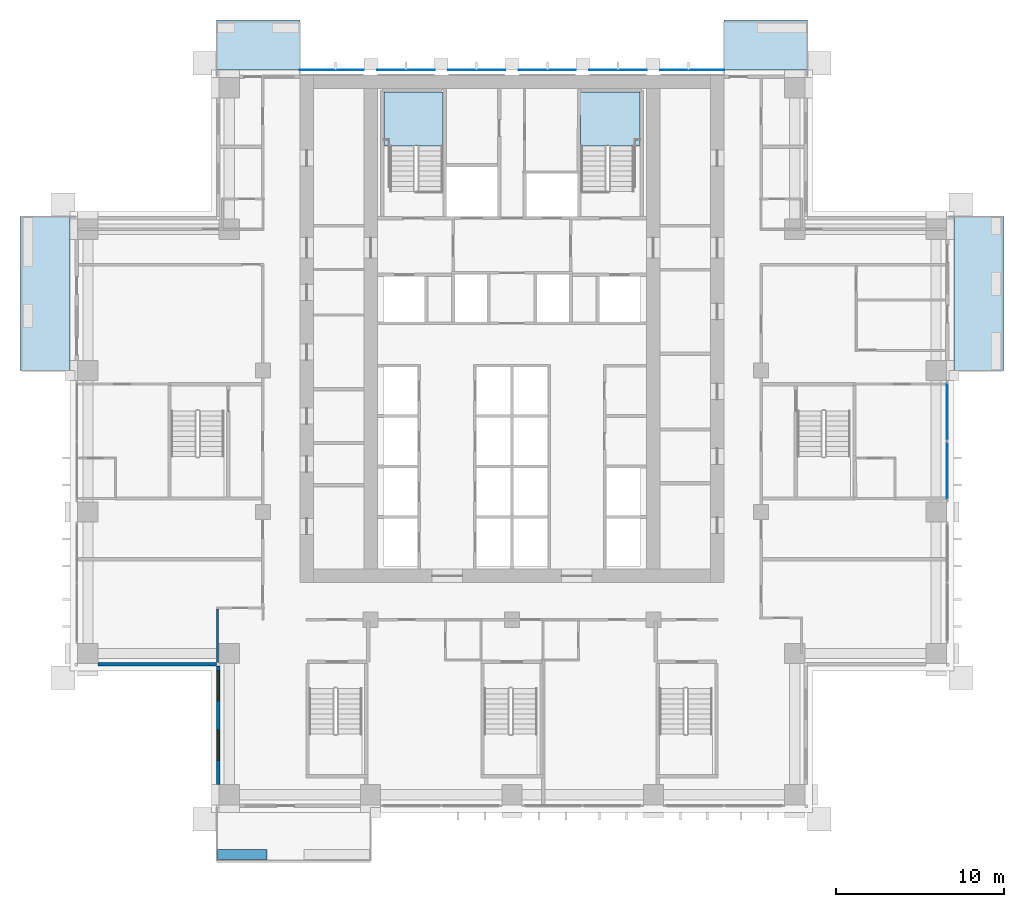
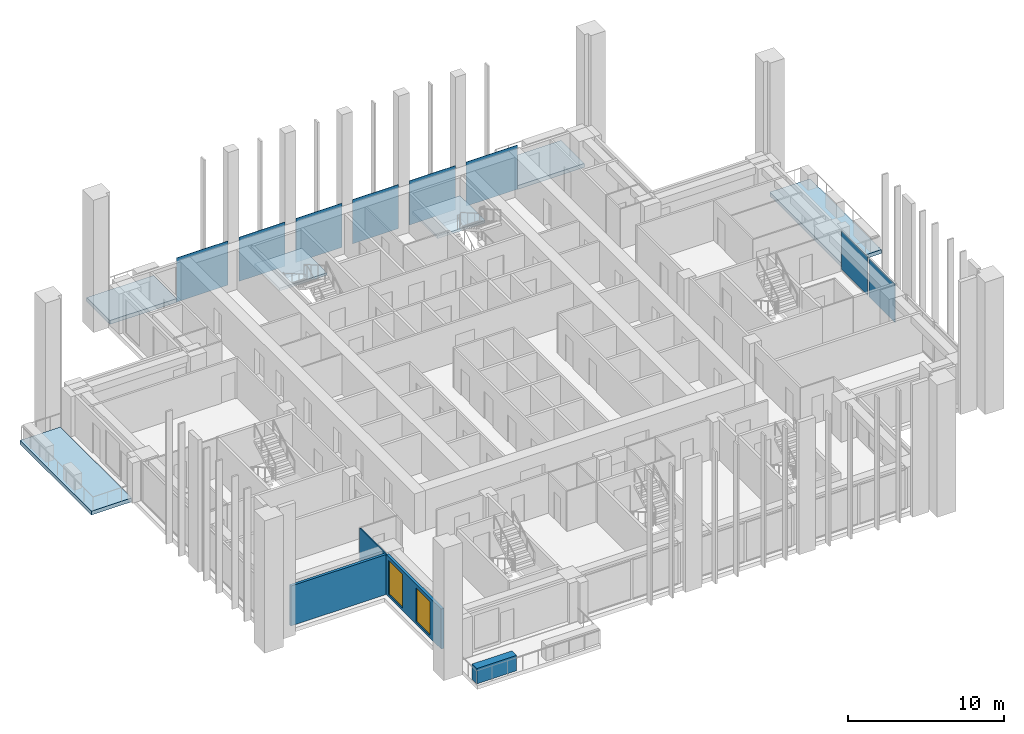
# One storey, part 6 of 18: 8 plates, 6 slabs, 4 walls, 2 windows, 2 openings, 3 elements without a shape of their own.
"""IFC4 building model written with IfcOpenShell, lengths in metres."""

from ifc_helpers import new_model, si_unit, direction, frame, frame_2d, origin, origin_2d, place, context, subcontext, project, spatial, polyline, rectangle, outline, extrude, material, layer, layer_set, type_object, element, fill, aggregate, save


model = new_model("IFC4")

# Units and contexts
model_context = context("Model", 3, precision=1e-05, world=origin(), true_north=direction((0.0, 1.0)))
body_context = subcontext(model_context, "Body", "Model", "MODEL_VIEW")
ifc_project = project(units=[si_unit("LENGTHUNIT", "METRE"), si_unit("AREAUNIT", "SQUARE_METRE"), si_unit("VOLUMEUNIT", "CUBIC_METRE"), si_unit("PLANEANGLEUNIT", "RADIAN"), si_unit("MASSUNIT", "GRAM", prefix="KILO")], contexts=[model_context])

# Site, building, storey
site_placement = place(None, origin())
site = spatial("IfcSite", under=ifc_project, at=site_placement, CompositionType="ELEMENT")
building_placement = place(site_placement, origin())
building = spatial("IfcBuilding", under=site, at=building_placement, Name="Vermilion Ogive Tower", CompositionType="ELEMENT")
storey_placement = place(building_placement, frame((0.0, 0.0, 80.39990234375)))
storey = spatial("IfcBuildingStorey", under=building, at=storey_placement, Name="L19", CompositionType="ELEMENT", Elevation=80.39990234375)

# Slabs
ifc_material_1 = material(Name="Concrete B40", Category="concrete")
ifc_layer_1 = layer(ifc_material_1, 0.300048828125)
ifc_layer_set_1 = layer_set([ifc_layer_1], Name="Balcony slab")
slab_type_1 = type_object("IfcSlabType", Name="Balcony slab", PredefinedType="FLOOR", material=ifc_layer_set_1)
slab_1_placement = place(storey_placement, frame((0.0, 0.0, -0.33984375)))
element("IfcSlab", 1, at=slab_1_placement, inside=storey, type_object=slab_type_1, Name="Balcony slab E03", PredefinedType="FLOOR", context=body_context, shape_type="SweptSolid", body=[
    extrude(outline(polyline([(29.22998046875, 4.199951171875), (29.22998046875, 13.35009765625), (26.25, 13.35009765625), (26.25, 4.199951171875), (29.22998046875, 4.199951171875)])), origin(), (0.0, 0.0, 1.0), 0.300048828125),
])
slab_2_placement = place(storey_placement, frame((0.0, 0.0, -0.33984375)))
element("IfcSlab", 2, at=slab_2_placement, inside=storey, type_object=slab_type_1, Name="Balcony slab N101", PredefinedType="FLOOR", context=body_context, shape_type="SweptSolid", body=[
    extrude(outline(polyline([(17.550048828125, 25.030029296875), (12.60009765625, 25.030029296875), (12.60009765625, 22.050048828125), (17.550048828125, 22.050048828125), (17.550048828125, 25.030029296875)])), origin(), (0.0, 0.0, 1.0), 0.300048828125),
])
slab_3_placement = place(storey_placement, frame((0.0, 0.0, -0.33984375)))
element("IfcSlab", 3, at=slab_3_placement, inside=storey, type_object=slab_type_1, Name="Balcony slab N201", PredefinedType="FLOOR", context=body_context, shape_type="SweptSolid", body=[
    extrude(outline(polyline([(-12.60009765625, 25.030029296875), (-17.550048828125, 25.030029296875), (-17.550048828125, 22.050048828125), (-12.60009765625, 22.050048828125), (-12.60009765625, 25.030029296875)])), origin(), (0.0, 0.0, 1.0), 0.300048828125),
])
slab_4_placement = place(storey_placement, frame((0.0, 0.0, -0.33984375)))
element("IfcSlab", 4, at=slab_4_placement, inside=storey, type_object=slab_type_1, Name="Balcony slab W01", PredefinedType="FLOOR", context=body_context, shape_type="SweptSolid", body=[
    extrude(outline(polyline([(-29.22998046875, 13.35009765625), (-29.22998046875, 4.199951171875), (-26.25, 4.199951171875), (-26.25, 13.35009765625), (-29.22998046875, 13.35009765625)])), origin(), (0.0, 0.0, 1.0), 0.300048828125),
])

# Curtain wall, plates
ifc_material_2 = material(Name="Low-iron laminated glazing in aluminium frame", Category="aluminium")
curtain_wall_type = type_object("IfcCurtainWallType", Name="Curtain wall CW7", PredefinedType="NOTDEFINED", material=ifc_material_2)
curtain_wall_placement = place(storey_placement, origin())
curtain_wall = element("IfcCurtainWall", 5, at=curtain_wall_placement, inside=storey, type_object=curtain_wall_type, Name="Glazed skin E2", PredefinedType="NOTDEFINED")
ifc_material_3 = material(Name="Low-iron laminated glazing in aluminium frame", Category="aluminium")
ifc_layer_2 = layer(ifc_material_3, 0.031982421875)
ifc_layer_set_2 = layer_set([ifc_layer_2], Name="CW7 glazing panel 32")
plate_type_1 = type_object("IfcPlateType", Name="CW7 glazing panel 32", PredefinedType="CURTAIN_PANEL", material=ifc_layer_set_2)
plate_1_placement = place(storey_placement, frame((25.85009765625, -1.7548828125, 0.06005859375), z_axis=(0.0, 0.0, 1.0), x_axis=(0.0, 1.0, 0.0)))
plate_1 = element("IfcPlate", 6, at=plate_1_placement, type_object=plate_type_1, Name="CW7-E2 panel 1.1", PredefinedType="CURTAIN_PANEL", context=body_context, shape_type="SweptSolid", body=[
    extrude(rectangle(XDim=3.330078125, YDim=0.031982421875, at=origin_2d()), origin(), (0.0, 0.0, 1.0), 3.010009765625),
])
plate_2_placement = place(storey_placement, frame((25.85009765625, 1.7548828125, 0.06005859375), z_axis=(0.0, 0.0, 1.0), x_axis=(0.0, 1.0, 0.0)))
plate_2 = element("IfcPlate", 7, at=plate_2_placement, type_object=plate_type_1, Name="CW7-E2 panel 2.1", PredefinedType="CURTAIN_PANEL", context=body_context, shape_type="SweptSolid", body=[
    extrude(rectangle(XDim=3.330078125, YDim=0.031982421875, at=origin_2d()), origin(), (0.0, 0.0, 1.0), 3.010009765625),
])
aggregate(curtain_wall, [plate_1, plate_2])

# Plates
ifc_material_4 = material(Name="Low-iron laminated glazing in aluminium frame", Category="aluminium")
ifc_layer_3 = layer(ifc_material_4, 0.031982421875)
ifc_layer_set_3 = layer_set([ifc_layer_3], Name="Glazed rainscreen sheet 32")
plate_type_2 = type_object("IfcPlateType", Name="Glazed rainscreen sheet 32", PredefinedType="SHEET", material=ifc_layer_set_3)
plate_3_placement = place(storey_placement, frame((-10.7099609375, 22.06591796875, -0.31982421875), z_axis=(0.0, 0.0, 1.0), x_axis=(1.0, 0.0, 0.0)))
element("IfcPlate", 8, at=plate_3_placement, inside=storey, type_object=plate_type_2, Name="Glazed rainscreen sheet N1", PredefinedType="SHEET", context=body_context, shape_type="SweptSolid", body=[
    extrude(rectangle(XDim=3.820068359375, YDim=0.031982421875, at=origin_2d()), origin(), (0.0, 0.0, 1.0), 3.449951171875),
])
for number, where, z_axis, x_axis, name in (
    (9, (-6.300048828125, 22.06591796875, -0.31982421875), (0.0, 0.0, 1.0), (1.0, 0.0, 0.0), "Glazed rainscreen sheet N2"),
    (10, (-2.10009765625, 22.06591796875, -0.31982421875), (0.0, 0.0, 1.0), (1.0, 0.0, 0.0), "Glazed rainscreen sheet N3"),
    (11, (2.10009765625, 22.06591796875, -0.31982421875), (0.0, 0.0, 1.0), (1.0, 0.0, 0.0), "Glazed rainscreen sheet N4"),
    (12, (6.300048828125, 22.06591796875, -0.31982421875), (0.0, 0.0, 1.0), (1.0, 0.0, 0.0), "Glazed rainscreen sheet N5"),
):
    element("IfcPlate", number, at=place(storey_placement, frame(where, z_axis=z_axis, x_axis=x_axis)), inside=storey, type_object=plate_type_2, Name=name, PredefinedType="SHEET", context=body_context, shape_type="SweptSolid", body=[
        extrude(rectangle(XDim=3.39990234375, YDim=0.031982421875, at=origin_2d()), origin(), (0.0, 0.0, 1.0), 3.449951171875),
    ])
plate_4_placement = place(storey_placement, frame((10.7099609375, 22.06591796875, -0.31982421875), z_axis=(0.0, 0.0, 1.0), x_axis=(1.0, 0.0, 0.0)))
element("IfcPlate", 13, at=plate_4_placement, inside=storey, type_object=plate_type_2, Name="Glazed rainscreen sheet N6", PredefinedType="SHEET", context=body_context, shape_type="SweptSolid", body=[
    extrude(rectangle(XDim=3.820068359375, YDim=0.031982421875, at=origin_2d()), origin(), (0.0, 0.0, 1.0), 3.449951171875),
])

# Stair, slab
ifc_material_5 = material(Name="Concrete B40", Category="concrete")
stair_type = type_object("IfcStairType", Name="Exit stair 1500", PredefinedType="HALF_TURN_STAIR", material=ifc_material_5)
stair_1_placement = place(storey_placement, origin())
stair_1 = element("IfcStair", 14, at=stair_1_placement, inside=storey, type_object=stair_type, Name="L19 Exit Stair ST1", PredefinedType="HALF_TURN_STAIR")
ifc_material_6 = material(Name="Concrete B40", Category="concrete")
ifc_layer_4 = layer(ifc_material_6, 0.199951171875)
ifc_layer_set_4 = layer_set([ifc_layer_4], Name="Stair landing 200")
slab_type_2 = type_object("IfcSlabType", Name="Stair landing 200", PredefinedType="LANDING", material=ifc_layer_set_4)
slab_5_placement = place(storey_placement, frame((0.0, 0.0, 1.525146484375)))
slab_5 = element("IfcSlab", 15, at=slab_5_placement, type_object=slab_type_2, Name="ST1 landing 1", PredefinedType="LANDING", context=body_context, shape_type="SweptSolid", body=[
    extrude(outline(polyline([(-7.60009765625, 17.550048828125), (-7.25, 17.550048828125), (-7.25, 17.548095703125), (-5.75, 17.548095703125), (-5.75, 17.550048828125), (-5.60009765625, 17.550048828125), (-5.60009765625, 17.548095703125), (-4.10009765625, 17.548095703125), (-4.10009765625, 20.75), (-7.60009765625, 20.75), (-7.60009765625, 17.550048828125)])), origin(), (0.0, 0.0, 1.0), 0.199951171875),
])
aggregate(stair_1, [slab_5])

stair_2_placement = place(storey_placement, origin())
stair_2 = element("IfcStair", 16, at=stair_2_placement, inside=storey, type_object=stair_type, Name="L19 Exit Stair ST2", PredefinedType="HALF_TURN_STAIR")
slab_6_placement = place(storey_placement, frame((0.0, 0.0, 1.525146484375)))
slab_6 = element("IfcSlab", 17, at=slab_6_placement, type_object=slab_type_2, Name="ST2 landing 1", PredefinedType="LANDING", context=body_context, shape_type="SweptSolid", body=[
    extrude(outline(polyline([(5.60009765625, 17.550048828125), (5.75, 17.550048828125), (5.75, 17.548095703125), (7.25, 17.548095703125), (7.25, 17.550048828125), (7.60009765625, 17.550048828125), (7.60009765625, 20.75), (4.074951171875, 20.75), (4.074951171875, 17.550048828125), (4.10009765625, 17.550048828125), (4.10009765625, 17.548095703125), (5.60009765625, 17.548095703125), (5.60009765625, 17.550048828125)])), origin(), (0.0, 0.0, 1.0), 0.199951171875),
])
aggregate(stair_2, [slab_6])

# Walls
ifc_material_7 = material(Name="Gypsum board partition on steel studs", Category="steel")
ifc_layer_5 = layer(ifc_material_7, 0.10009765625)
ifc_layer_set_5 = layer_set([ifc_layer_5], Name="Partition 100 bath")
wall_type_1 = type_object("IfcWallType", Name="Partition 100 bath", PredefinedType="PARTITIONING", material=ifc_layer_set_5)
wall_1_placement = place(storey_placement, frame((-17.5, -13.35009765625, 0.0), z_axis=(0.0, 0.0, 1.0), x_axis=(0.0, 1.0, 0.0)))
element("IfcWall", 18, at=wall_1_placement, inside=storey, type_object=wall_type_1, Name="L19-W-W041", PredefinedType="PARTITIONING", context=body_context, shape_type="SweptSolid", body=[
    extrude(rectangle(XDim=3.400146484375, YDim=0.10009765625, at=frame_2d((1.7001953125, 0.0))), origin(), (0.0, 0.0, 1.0), 3.130126953125),
])
ifc_material_8 = material(Name="Concrete B40", Category="concrete")
ifc_layer_6 = layer(ifc_material_8, 0.60009765625)
ifc_layer_set_6 = layer_set([ifc_layer_6], Name="Structural planter")
wall_type_2 = type_object("IfcWallType", Name="Structural planter", PredefinedType="USERDEFINED", material=ifc_layer_set_6)
wall_2_placement = place(storey_placement, frame((-17.489990234375, -24.550048828125, -0.039794921875), z_axis=(0.0, 0.0, 1.0), x_axis=(1.0, 0.0, 0.0)))
element("IfcWall", 19, at=wall_2_placement, inside=storey, type_object=wall_type_2, Name="Planter S01A1", ObjectType="PLANTER", PredefinedType="USERDEFINED", context=body_context, shape_type="SweptSolid", body=[
    extrude(rectangle(XDim=2.93994140625, YDim=0.60009765625, at=frame_2d((1.469970703125, 0.0))), origin(), (0.0, 0.0, 1.0), 1.199951171875),
])
ifc_material_9 = material(Name="Aluminium window wall framing", Category="aluminium")
ifc_layer_7 = layer(ifc_material_9, 0.199951171875)
ifc_layer_set_7 = layer_set([ifc_layer_7], Name="Window wall")
wall_type_3 = type_object("IfcWallType", Name="Window wall", PredefinedType="STANDARD", material=ifc_layer_set_7)
wall_3_placement = place(storey_placement, frame((-24.60009765625, -13.25, 0.0), z_axis=(0.0, 0.0, 1.0), x_axis=(1.0, 0.0, 0.0)))
element("IfcWall", 20, at=wall_3_placement, inside=storey, type_object=wall_type_3, Name="Window wall X71", PredefinedType="STANDARD", context=body_context, shape_type="SweptSolid", body=[
    extrude(rectangle(XDim=7.050048828125, YDim=0.199951171875, at=frame_2d((3.52490234375, 0.0))), origin(), (0.0, 0.0, 1.0), 3.130126953125),
])

# Wall, openings, windows
wall_4_placement = place(storey_placement, frame((-17.449951171875, -13.35009765625, 0.0), z_axis=(0.0, 0.0, 1.0), x_axis=(0.0, -1.0, 0.0)))
wall_4 = element("IfcWall", 21, at=wall_4_placement, inside=storey, type_object=wall_type_3, Name="Window wall X81", PredefinedType="STANDARD", context=body_context, shape_type="SweptSolid", body=[
    extrude(rectangle(XDim=7.0498046875, YDim=0.199951171875, at=frame_2d((3.52490234375, 0.0))), origin(), (0.0, 0.0, 1.0), 3.130126953125),
])
opening_1_placement = place(wall_4_placement, frame((3.800048828125, 0.0, 0.199951171875)))
opening_1 = element("IfcOpeningElement", 22, at=opening_1_placement, cuts=wall_4, Name="Opening W1-X895", PredefinedType="OPENING", context=body_context, shape_type="SweptSolid", body=[
    extrude(rectangle(XDim=1.800048828125, YDim=2.64990234375, at=frame_2d((0.89990234375, 1.324951171875))), frame((0.0, 0.10986328125, 0.0), z_axis=(0.0, -1.0, 0.0), x_axis=(1.0, 0.0, 0.0)), (0.0, 0.0, 1.0), 0.219970703125),
])
opening_2_placement = place(wall_4_placement, frame((0.27490234375, 0.0, 0.199951171875)))
opening_2 = element("IfcOpeningElement", 23, at=opening_2_placement, cuts=wall_4, Name="Opening W1-X896", PredefinedType="OPENING", context=body_context, shape_type="SweptSolid", body=[
    extrude(rectangle(XDim=1.800048828125, YDim=2.64990234375, at=frame_2d((0.89990234375, 1.324951171875))), frame((0.0, 0.10986328125, 0.0), z_axis=(0.0, -1.0, 0.0), x_axis=(1.0, 0.0, 0.0)), (0.0, 0.0, 1.0), 0.219970703125),
])
ifc_material_10 = material(Name="Aluminium framed double glazing", Category="aluminium")
window_type = type_object("IfcWindowType", Name="Guest window W1", PartitioningType="SINGLE_PANEL", PredefinedType="WINDOW", material=ifc_material_10)
window_1_placement = place(opening_1_placement, origin())
window_1 = element("IfcWindow", 24, at=window_1_placement, inside=storey, type_object=window_type, Name="Window X895", OverallHeight=2.64990234375, OverallWidth=1.800048828125, PartitioningType="SINGLE_PANEL", PredefinedType="WINDOW", context=body_context, shape_type="SweptSolid", body=[
    extrude(rectangle(XDim=1.800048828125, YDim=2.64990234375, at=frame_2d((0.89990234375, 1.324951171875))), frame((0.0, 0.030029296875, 0.0), z_axis=(0.0, -1.0, 0.0), x_axis=(1.0, 0.0, 0.0)), (0.0, 0.0, 1.0), 0.06005859375),
])
fill(opening_1, window_1)
window_2_placement = place(opening_2_placement, origin())
window_2 = element("IfcWindow", 25, at=window_2_placement, inside=storey, type_object=window_type, Name="Window X896", OverallHeight=2.64990234375, OverallWidth=1.800048828125, PartitioningType="SINGLE_PANEL", PredefinedType="WINDOW", context=body_context, shape_type="SweptSolid", body=[
    extrude(rectangle(XDim=1.800048828125, YDim=2.64990234375, at=frame_2d((0.89990234375, 1.324951171875))), frame((0.0, 0.030029296875, 0.0), z_axis=(0.0, -1.0, 0.0), x_axis=(1.0, 0.0, 0.0)), (0.0, 0.0, 1.0), 0.06005859375),
])
fill(opening_2, window_2)

save(model, "model.ifc")
